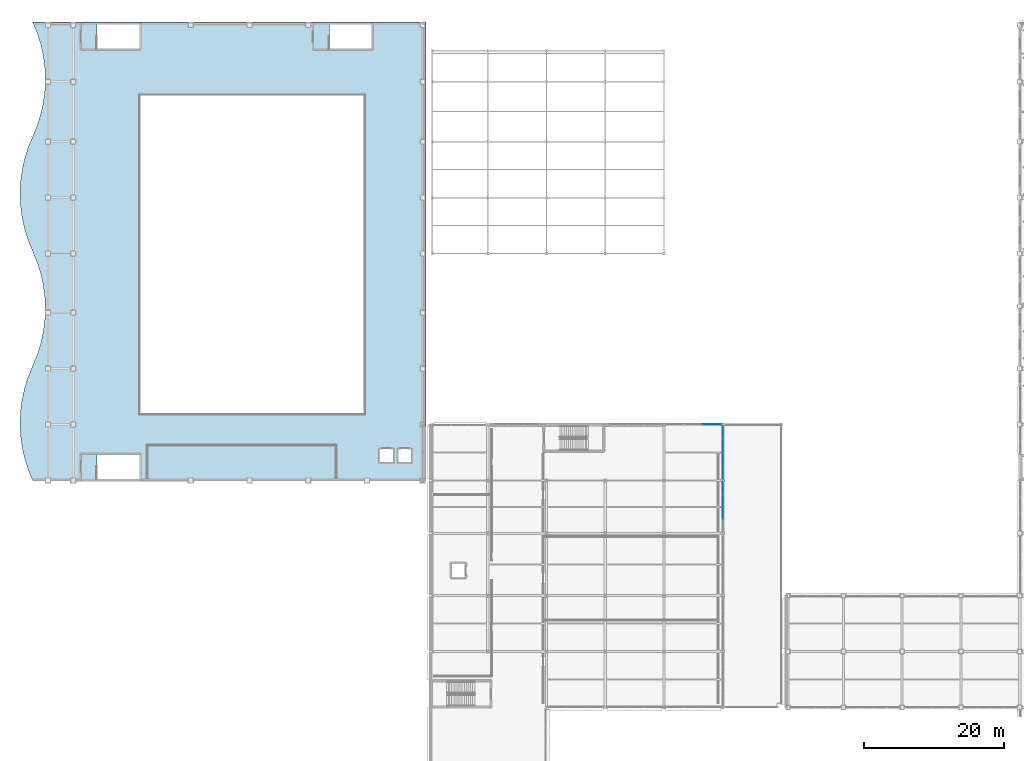
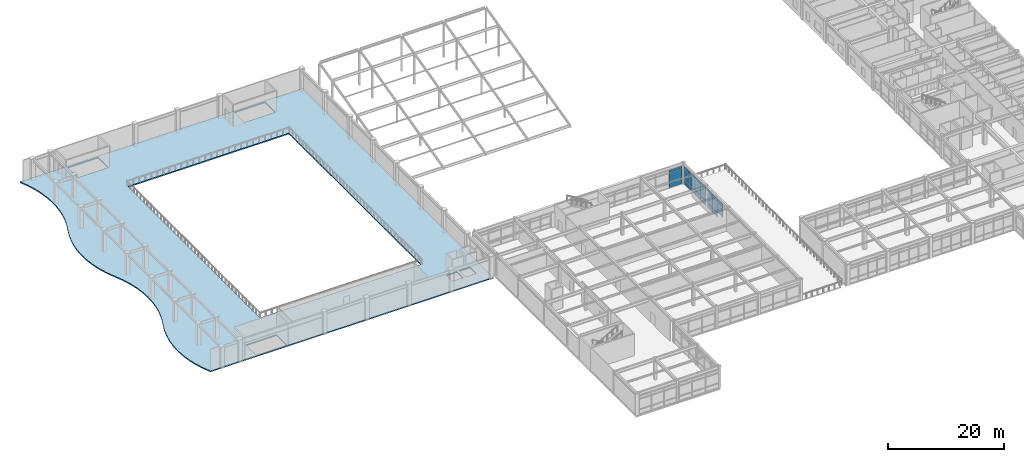
# One storey, part 68 of 93: 23 plates, 1 slab, 3 elements without a shape of their own.
"""IFC4 building model written with IfcOpenShell, lengths in metres."""

import ifcopenshell
import ifcopenshell.guid

model = None  # the IFC model being written
_history = None  # IfcOwnerHistory: only IFC2X3 demands one
_inside = {}  # id of a spatial element -> (the spatial element, [elements in it])
_under = {}  # id of a project, library or spatial element -> (it, [spatial elements below it])
_declared = {}  # id of a project -> (the project, [libraries it declares])
_typed = {}  # id of a type object -> (the type object, [elements of that type])
_made_of = {}  # id of a material, layer set ... -> (it, [elements and type objects made of it])


def new_model(schema):
    """Start an empty IFC model of exactly this schema.

    Asked for "IFC4X3", IfcOpenShell would pick the latest addendum, in which some entities
    have other attributes; the version numbers below select the first issue.
    IFC2X3 requires an IfcOwnerHistory on every rooted entity: one is made here for all.
    """
    global model, _history
    if schema == "IFC4X3":
        model = ifcopenshell.file(schema_version=(4, 3, 0, 0))
    else:
        model = ifcopenshell.file(schema=schema)
    _inside.clear()
    _under.clear()
    _declared.clear()
    _typed.clear()
    _made_of.clear()
    _history = None
    if model.schema == "IFC2X3":
        org = make("IfcOrganization", Name="unknown")
        user = make(
            "IfcPersonAndOrganization",
            ThePerson=make("IfcPerson", FamilyName="unknown"),
            TheOrganization=org,
        )
        app = make(
            "IfcApplication",
            ApplicationDeveloper=org,
            Version="unknown",
            ApplicationFullName="unknown",
            ApplicationIdentifier="unknown",
        )
        _history = make(
            "IfcOwnerHistory",
            OwningUser=user,
            OwningApplication=app,
            ChangeAction="ADDED",
            CreationDate=0,
        )
    return model


def make(cls, **values):
    """One entity of the class cls with the attributes given. An attribute that is None is left unset."""
    return model.create_entity(
        cls, **{name: value for name, value in values.items() if value is not None}
    )


def rooted(cls, **values):
    """An entity with a GlobalId (a new one), such as an element, a storey or a relation."""
    return make(cls, GlobalId=ifcopenshell.guid.new(), OwnerHistory=_history, **values)


def si_unit(unit_type, name, prefix=None):
    """IfcSIUnit, for example si_unit("LENGTHUNIT", "METRE", prefix="MILLI")."""
    return make("IfcSIUnit", UnitType=unit_type, Prefix=prefix, Name=name)


def assignment(units):
    """IfcUnitAssignment: the units of a project."""
    return None if units is None else make("IfcUnitAssignment", Units=units)


def point(xyz):
    """IfcCartesianPoint."""
    return None if xyz is None else make("IfcCartesianPoint", Coordinates=xyz)


def direction(xyz):
    """IfcDirection."""
    return None if xyz is None else make("IfcDirection", DirectionRatios=xyz)


def frame(location, z_axis=None, x_axis=None):
    """IfcAxis2Placement3D, a coordinate frame: its origin and axes. An axis left out is left unset."""
    return make(
        "IfcAxis2Placement3D",
        Location=point(location),
        Axis=direction(z_axis),
        RefDirection=direction(x_axis),
    )


def frame_2d(location, x_axis=None):
    """IfcAxis2Placement2D, a coordinate frame in the plane: its origin and x axis."""
    return make(
        "IfcAxis2Placement2D", Location=point(location), RefDirection=direction(x_axis)
    )


def origin():
    """The frame at (0, 0, 0) with its axes left unset."""
    return frame((0.0, 0.0, 0.0))


def origin_2d():
    """The frame at (0, 0) in the plane with its x axis left unset."""
    return frame_2d((0.0, 0.0))


def place(relative_to, where):
    """IfcLocalPlacement: puts the frame where relative to a parent placement (None: the world)."""
    return make(
        "IfcLocalPlacement", PlacementRelTo=relative_to, RelativePlacement=where
    )


def context(
    kind, dimensions, precision=None, world=None, true_north=None, identifier=None
):
    """IfcGeometricRepresentationContext, for example the 3D "Model" context."""
    return make(
        "IfcGeometricRepresentationContext",
        ContextIdentifier=identifier,
        ContextType=kind,
        CoordinateSpaceDimension=dimensions,
        Precision=precision,
        WorldCoordinateSystem=world,
        TrueNorth=true_north,
    )


def subcontext(parent, identifier, kind, view, scale=None):
    """IfcGeometricRepresentationSubContext, for example "Body" below "Model"."""
    return make(
        "IfcGeometricRepresentationSubContext",
        ContextIdentifier=identifier,
        ContextType=kind,
        ParentContext=parent,
        TargetScale=scale,
        TargetView=view,
    )


def project(units=None, contexts=None):
    """IfcProject with its units and contexts."""
    return rooted(
        "IfcProject",
        Name="project",
        RepresentationContexts=contexts,
        UnitsInContext=assignment(units),
    )


def spatial(cls, under=None, at=None, **own):
    """A site, building, storey or space (cls), placed at a placement, below another one or the project."""
    s = rooted(cls, ObjectPlacement=at, **own)
    if under is not None:
        _under.setdefault(under.id(), (under, []))[1].append(s)
    return s


def polyline(points):
    """IfcPolyline through the points."""
    return make("IfcPolyline", Points=[point(p) for p in points])


def profile(cls, at=None, kind="AREA", **sizes):
    """A parametric profile (cls). Its sizes go by their IFC names, for example OverallWidth=200.0."""
    return make(cls, ProfileType=kind, Position=at, **sizes)


def rectangle(**sizes):
    """IfcRectangleProfileDef."""
    return profile("IfcRectangleProfileDef", **sizes)


def outline(outer, holes=None, kind="AREA"):
    """IfcArbitraryClosedProfileDef: a profile drawn as a closed curve; with holes, ...WithVoids."""
    if holes is None:
        return make("IfcArbitraryClosedProfileDef", ProfileType=kind, OuterCurve=outer)
    return make(
        "IfcArbitraryProfileDefWithVoids",
        ProfileType=kind,
        OuterCurve=outer,
        InnerCurves=holes,
    )


def extrude(swept, where, along, depth):
    """IfcExtrudedAreaSolid: the profile swept, set in the frame where, extruded along a direction by depth."""
    return make(
        "IfcExtrudedAreaSolid",
        SweptArea=swept,
        Position=where,
        ExtrudedDirection=direction(along),
        Depth=depth,
    )


def shape(context_of_items, identifier, shape_type, items):
    """IfcShapeRepresentation: the items that make up one representation, for example the "Body"."""
    return make(
        "IfcShapeRepresentation",
        ContextOfItems=context_of_items,
        RepresentationIdentifier=identifier,
        RepresentationType=shape_type,
        Items=items,
    )


def material(Name=None, Category=None):
    """IfcMaterial."""
    return make("IfcMaterial", Name=Name, Category=Category)


def layer(
    of_material, thickness, ventilated=None, Name=None, Category=None, Priority=None
):
    """IfcMaterialLayer: one layer of a wall or slab, of a material (None: an air gap)."""
    return make(
        "IfcMaterialLayer",
        Material=of_material,
        LayerThickness=thickness,
        IsVentilated=ventilated,
        Name=Name,
        Category=Category,
        Priority=Priority,
    )


def layer_set(layers, Name=None):
    """IfcMaterialLayerSet."""
    return make("IfcMaterialLayerSet", MaterialLayers=layers, LayerSetName=Name)


def made_of(thing, what):
    """Note that an element or type object is made of a material, layer set ...; save() writes the relation."""
    if what is not None:
        _made_of.setdefault(what.id(), (what, []))[1].append(thing)
    return thing


def type_object(cls, material=None, **own):
    """A type object (cls), such as IfcWallType, which elements share."""
    return made_of(rooted(cls, **own), material)


def element(
    cls,
    number,
    at=None,
    inside=None,
    cuts=None,
    type_object=None,
    material=None,
    context=None,
    identifier="Body",
    shape_type=None,
    held_by="IfcProductDefinitionShape",
    body=None,
    shapes=None,
    **own,
):
    """One element of the class cls, such as IfcWall. Its Tag is "e" and its number.

    at: its placement. inside: the storey or other place that contains it. cuts: it is an
    opening in that element (IfcRelVoidsElement). A single representation is given by context,
    identifier, shape_type and body (its items); several are given by shapes. held_by: the class
    of the entity that holds the representations. save() writes the other relations.
    """
    e = rooted(cls, Tag="e%d" % number, ObjectPlacement=at, **own)
    if body is not None:
        shapes = [shape(context, identifier, shape_type, body)]
    if shapes is not None:
        e.Representation = make(held_by, Representations=shapes)
    if inside is not None:
        _inside.setdefault(inside.id(), (inside, []))[1].append(e)
    if cuts is not None:
        rooted(
            "IfcRelVoidsElement", RelatingBuildingElement=cuts, RelatedOpeningElement=e
        )
    if type_object is not None:
        _typed.setdefault(type_object.id(), (type_object, []))[1].append(e)
    return made_of(e, material)


def aggregate(whole, parts):
    """IfcRelAggregates: a whole, such as a stair, and the parts it consists of."""
    return rooted("IfcRelAggregates", RelatingObject=whole, RelatedObjects=parts)


def save(model, path):
    """Write the relations noted so far, then the file.

    IfcRelAggregates (storeys below a building ...), IfcRelContainedInSpatialStructure (elements
    in a storey), IfcRelDefinesByType, IfcRelAssociatesMaterial and IfcRelDeclares: one each for
    every whole, place, type object, material and project.
    """
    for whole, parts in _under.values():
        aggregate(whole, parts)
    for where, things in _inside.values():
        rooted(
            "IfcRelContainedInSpatialStructure",
            RelatedElements=things,
            RelatingStructure=where,
        )
    for kind, things in _typed.values():
        rooted("IfcRelDefinesByType", RelatedObjects=things, RelatingType=kind)
    for what, things in _made_of.values():
        rooted("IfcRelAssociatesMaterial", RelatedObjects=things, RelatingMaterial=what)
    for by, libraries in _declared.values():
        rooted("IfcRelDeclares", RelatingContext=by, RelatedDefinitions=libraries)
    model.write(path)


model = new_model("IFC4")

# Units and contexts
model_context = context("Model", 3, precision=1e-05, world=origin(), true_north=direction((0.0, 1.0)))
body_context = subcontext(model_context, "Body", "Model", "MODEL_VIEW")
ifc_project = project(units=[si_unit("LENGTHUNIT", "METRE"), si_unit("AREAUNIT", "SQUARE_METRE"), si_unit("VOLUMEUNIT", "CUBIC_METRE"), si_unit("PLANEANGLEUNIT", "RADIAN"), si_unit("MASSUNIT", "GRAM", prefix="KILO")], contexts=[model_context])

# Site, building, storey
site_placement = place(None, origin())
site = spatial("IfcSite", under=ifc_project, at=site_placement, CompositionType="ELEMENT")
building_placement = place(site_placement, origin())
building = spatial("IfcBuilding", under=site, at=building_placement, Name="Kazehara Bluff Congress Hotel", CompositionType="ELEMENT")
storey_placement = place(building_placement, frame((0.0, 0.0, 15.0)))
storey = spatial("IfcBuildingStorey", under=building, at=storey_placement, Name="L03", CompositionType="ELEMENT", Elevation=15.0)

# Curtain wall, plates
ifc_material_1 = material(Name="Anodised aluminium", Category="aluminium")
ifc_layer_1 = layer(ifc_material_1, 0.159912109375)
ifc_layer_set_1 = layer_set([ifc_layer_1], Name="Anodised aluminium")
curtain_wall_type_1 = type_object("IfcCurtainWallType", Name="TP-CW-62", PredefinedType="NOTDEFINED", material=ifc_layer_set_1)
curtain_wall_1_placement = place(storey_placement, origin())
curtain_wall_1 = element("IfcCurtainWall", 1, at=curtain_wall_1_placement, inside=storey, type_object=curtain_wall_type_1, Name="L03 curtain wall CW-62 CW-V4-L03-X10125-4110", PredefinedType="NOTDEFINED")
ifc_material_2 = material(Name="Insulated low-E double glazing", Category="glass")
ifc_layer_2 = layer(ifc_material_2, 0.028076171875)
ifc_layer_set_2 = layer_set([ifc_layer_2], Name="Insulated low-E double glazing")
plate_type = type_object("IfcPlateType", Name="TP-CWP-01", PredefinedType="CURTAIN_PANEL", material=ifc_layer_set_2)
plate_1_placement = place(storey_placement, frame((101.25, 43.78125, 1.08251953125), z_axis=(0.0, 0.0, 1.0), x_axis=(0.0, 1.0, 0.0)))
plate_1 = element("IfcPlate", 2, at=plate_1_placement, type_object=plate_type, Name="CW-62 panel 2.2", PredefinedType="CURTAIN_PANEL", context=body_context, shape_type="SweptSolid", body=[
    extrude(rectangle(XDim=1.722412109375, YDim=0.028076171875, at=origin_2d()), origin(), (0.0, 0.0, 1.0), 2.1201171875),
])
plate_2_placement = place(storey_placement, frame((101.25, 43.78125, 3.267578125), z_axis=(0.0, 0.0, 1.0), x_axis=(0.0, 1.0, 0.0)))
plate_2 = element("IfcPlate", 3, at=plate_2_placement, type_object=plate_type, Name="CW-62 panel 2.3", PredefinedType="CURTAIN_PANEL", context=body_context, shape_type="SweptSolid", body=[
    extrude(rectangle(XDim=1.722412109375, YDim=0.028076171875, at=origin_2d()), origin(), (0.0, 0.0, 1.0), 0.552490234375),
])
plate_3_placement = place(storey_placement, frame((101.25, 45.56884765625, 0.06494140625), z_axis=(0.0, 0.0, 1.0), x_axis=(0.0, 1.0, 0.0)))
plate_3 = element("IfcPlate", 4, at=plate_3_placement, type_object=plate_type, Name="CW-62 panel 3.1", PredefinedType="CURTAIN_PANEL", context=body_context, shape_type="SweptSolid", body=[
    extrude(rectangle(XDim=1.722412109375, YDim=0.028076171875, at=origin_2d()), origin(), (0.0, 0.0, 1.0), 0.952392578125),
])
plate_4_placement = place(storey_placement, frame((101.25, 45.56884765625, 1.08251953125), z_axis=(0.0, 0.0, 1.0), x_axis=(0.0, 1.0, 0.0)))
plate_4 = element("IfcPlate", 5, at=plate_4_placement, type_object=plate_type, Name="CW-62 panel 3.2", PredefinedType="CURTAIN_PANEL", context=body_context, shape_type="SweptSolid", body=[
    extrude(rectangle(XDim=1.722412109375, YDim=0.028076171875, at=origin_2d()), origin(), (0.0, 0.0, 1.0), 2.1201171875),
])
plate_5_placement = place(storey_placement, frame((101.25, 45.56884765625, 3.267578125), z_axis=(0.0, 0.0, 1.0), x_axis=(0.0, 1.0, 0.0)))
plate_5 = element("IfcPlate", 6, at=plate_5_placement, type_object=plate_type, Name="CW-62 panel 3.3", PredefinedType="CURTAIN_PANEL", context=body_context, shape_type="SweptSolid", body=[
    extrude(rectangle(XDim=1.722412109375, YDim=0.028076171875, at=origin_2d()), origin(), (0.0, 0.0, 1.0), 0.552490234375),
])
plate_6_placement = place(storey_placement, frame((101.25, 47.340087890625, 0.06494140625), z_axis=(0.0, 0.0, 1.0), x_axis=(0.0, 1.0, 0.0)))
plate_6 = element("IfcPlate", 7, at=plate_6_placement, type_object=plate_type, Name="CW-62 panel 4.1", PredefinedType="CURTAIN_PANEL", context=body_context, shape_type="SweptSolid", body=[
    extrude(rectangle(XDim=1.68994140625, YDim=0.028076171875, at=origin_2d()), origin(), (0.0, 0.0, 1.0), 0.952392578125),
])
plate_7_placement = place(storey_placement, frame((101.25, 47.340087890625, 1.08251953125), z_axis=(0.0, 0.0, 1.0), x_axis=(0.0, 1.0, 0.0)))
plate_7 = element("IfcPlate", 8, at=plate_7_placement, type_object=plate_type, Name="CW-62 panel 4.2", PredefinedType="CURTAIN_PANEL", context=body_context, shape_type="SweptSolid", body=[
    extrude(rectangle(XDim=1.68994140625, YDim=0.028076171875, at=origin_2d()), origin(), (0.0, 0.0, 1.0), 2.1201171875),
])
plate_8_placement = place(storey_placement, frame((101.25, 47.340087890625, 3.267578125), z_axis=(0.0, 0.0, 1.0), x_axis=(0.0, 1.0, 0.0)))
plate_8 = element("IfcPlate", 9, at=plate_8_placement, type_object=plate_type, Name="CW-62 panel 4.3", PredefinedType="CURTAIN_PANEL", context=body_context, shape_type="SweptSolid", body=[
    extrude(rectangle(XDim=1.68994140625, YDim=0.028076171875, at=origin_2d()), origin(), (0.0, 0.0, 1.0), 0.552490234375),
])
aggregate(curtain_wall_1, [plate_1, plate_2, plate_3, plate_4, plate_5, plate_6, plate_7, plate_8])

ifc_material_3 = material(Name="Anodised aluminium", Category="aluminium")
ifc_layer_3 = layer(ifc_material_3, 0.159912109375)
ifc_layer_set_3 = layer_set([ifc_layer_3], Name="Anodised aluminium")
curtain_wall_type_2 = type_object("IfcCurtainWallType", Name="TP-CW-10", PredefinedType="NOTDEFINED", material=ifc_layer_set_3)
curtain_wall_2_placement = place(storey_placement, origin())
curtain_wall_2 = element("IfcCurtainWall", 10, at=curtain_wall_2_placement, inside=storey, type_object=curtain_wall_type_2, Name="L03 curtain wall CW-10 CW-V4-L03-X10125-4865", PredefinedType="NOTDEFINED")
plate_9_placement = place(storey_placement, frame((101.25, 49.6162109375, 0.06494140625), z_axis=(0.0, 0.0, 1.0), x_axis=(0.0, 1.0, 0.0)))
plate_9 = element("IfcPlate", 11, at=plate_9_placement, type_object=plate_type, Name="CW-10 panel 1.1", PredefinedType="CURTAIN_PANEL", context=body_context, shape_type="SweptSolid", body=[
    extrude(rectangle(XDim=1.802490234375, YDim=0.028076171875, at=origin_2d()), origin(), (0.0, 0.0, 1.0), 0.952392578125),
])
plate_10_placement = place(storey_placement, frame((101.25, 49.6162109375, 1.08251953125), z_axis=(0.0, 0.0, 1.0), x_axis=(0.0, 1.0, 0.0)))
plate_10 = element("IfcPlate", 12, at=plate_10_placement, type_object=plate_type, Name="CW-10 panel 1.2", PredefinedType="CURTAIN_PANEL", context=body_context, shape_type="SweptSolid", body=[
    extrude(rectangle(XDim=1.802490234375, YDim=0.028076171875, at=origin_2d()), origin(), (0.0, 0.0, 1.0), 2.1201171875),
])
plate_11_placement = place(storey_placement, frame((101.25, 49.6162109375, 3.267578125), z_axis=(0.0, 0.0, 1.0), x_axis=(0.0, 1.0, 0.0)))
plate_11 = element("IfcPlate", 13, at=plate_11_placement, type_object=plate_type, Name="CW-10 panel 1.3", PredefinedType="CURTAIN_PANEL", context=body_context, shape_type="SweptSolid", body=[
    extrude(rectangle(XDim=1.802490234375, YDim=0.028076171875, at=origin_2d()), origin(), (0.0, 0.0, 1.0), 0.552490234375),
])
plate_12_placement = place(storey_placement, frame((101.25, 51.5, 0.06494140625), z_axis=(0.0, 0.0, 1.0), x_axis=(0.0, 1.0, 0.0)))
plate_12 = element("IfcPlate", 14, at=plate_12_placement, type_object=plate_type, Name="CW-10 panel 2.1", PredefinedType="CURTAIN_PANEL", context=body_context, shape_type="SweptSolid", body=[
    extrude(rectangle(XDim=1.8349609375, YDim=0.028076171875, at=origin_2d()), origin(), (0.0, 0.0, 1.0), 0.952392578125),
])
plate_13_placement = place(storey_placement, frame((101.25, 51.5, 1.08251953125), z_axis=(0.0, 0.0, 1.0), x_axis=(0.0, 1.0, 0.0)))
plate_13 = element("IfcPlate", 15, at=plate_13_placement, type_object=plate_type, Name="CW-10 panel 2.2", PredefinedType="CURTAIN_PANEL", context=body_context, shape_type="SweptSolid", body=[
    extrude(rectangle(XDim=1.8349609375, YDim=0.028076171875, at=origin_2d()), origin(), (0.0, 0.0, 1.0), 2.1201171875),
])
plate_14_placement = place(storey_placement, frame((101.25, 51.5, 3.267578125), z_axis=(0.0, 0.0, 1.0), x_axis=(0.0, 1.0, 0.0)))
plate_14 = element("IfcPlate", 16, at=plate_14_placement, type_object=plate_type, Name="CW-10 panel 2.3", PredefinedType="CURTAIN_PANEL", context=body_context, shape_type="SweptSolid", body=[
    extrude(rectangle(XDim=1.8349609375, YDim=0.028076171875, at=origin_2d()), origin(), (0.0, 0.0, 1.0), 0.552490234375),
])
plate_15_placement = place(storey_placement, frame((101.25, 53.39990234375, 0.06494140625), z_axis=(0.0, 0.0, 1.0), x_axis=(0.0, 1.0, 0.0)))
plate_15 = element("IfcPlate", 17, at=plate_15_placement, type_object=plate_type, Name="CW-10 panel 3.1", PredefinedType="CURTAIN_PANEL", context=body_context, shape_type="SweptSolid", body=[
    extrude(rectangle(XDim=1.8349609375, YDim=0.028076171875, at=origin_2d()), origin(), (0.0, 0.0, 1.0), 0.952392578125),
])
plate_16_placement = place(storey_placement, frame((101.25, 53.39990234375, 1.08251953125), z_axis=(0.0, 0.0, 1.0), x_axis=(0.0, 1.0, 0.0)))
plate_16 = element("IfcPlate", 18, at=plate_16_placement, type_object=plate_type, Name="CW-10 panel 3.2", PredefinedType="CURTAIN_PANEL", context=body_context, shape_type="SweptSolid", body=[
    extrude(rectangle(XDim=1.8349609375, YDim=0.028076171875, at=origin_2d()), origin(), (0.0, 0.0, 1.0), 2.1201171875),
])
plate_17_placement = place(storey_placement, frame((101.25, 53.39990234375, 3.267578125), z_axis=(0.0, 0.0, 1.0), x_axis=(0.0, 1.0, 0.0)))
plate_17 = element("IfcPlate", 19, at=plate_17_placement, type_object=plate_type, Name="CW-10 panel 3.3", PredefinedType="CURTAIN_PANEL", context=body_context, shape_type="SweptSolid", body=[
    extrude(rectangle(XDim=1.8349609375, YDim=0.028076171875, at=origin_2d()), origin(), (0.0, 0.0, 1.0), 0.552490234375),
])
plate_18_placement = place(storey_placement, frame((101.25, 55.28369140625, 0.06494140625), z_axis=(0.0, 0.0, 1.0), x_axis=(0.0, 1.0, 0.0)))
plate_18 = element("IfcPlate", 20, at=plate_18_placement, type_object=plate_type, Name="CW-10 panel 4.1", PredefinedType="CURTAIN_PANEL", context=body_context, shape_type="SweptSolid", body=[
    extrude(rectangle(XDim=1.802490234375, YDim=0.028076171875, at=origin_2d()), origin(), (0.0, 0.0, 1.0), 0.952392578125),
])
plate_19_placement = place(storey_placement, frame((101.25, 55.28369140625, 1.08251953125), z_axis=(0.0, 0.0, 1.0), x_axis=(0.0, 1.0, 0.0)))
plate_19 = element("IfcPlate", 21, at=plate_19_placement, type_object=plate_type, Name="CW-10 panel 4.2", PredefinedType="CURTAIN_PANEL", context=body_context, shape_type="SweptSolid", body=[
    extrude(rectangle(XDim=1.802490234375, YDim=0.028076171875, at=origin_2d()), origin(), (0.0, 0.0, 1.0), 2.1201171875),
])
plate_20_placement = place(storey_placement, frame((101.25, 55.28369140625, 3.267578125), z_axis=(0.0, 0.0, 1.0), x_axis=(0.0, 1.0, 0.0)))
plate_20 = element("IfcPlate", 22, at=plate_20_placement, type_object=plate_type, Name="CW-10 panel 4.3", PredefinedType="CURTAIN_PANEL", context=body_context, shape_type="SweptSolid", body=[
    extrude(rectangle(XDim=1.802490234375, YDim=0.028076171875, at=origin_2d()), origin(), (0.0, 0.0, 1.0), 0.552490234375),
])
aggregate(curtain_wall_2, [plate_9, plate_10, plate_11, plate_12, plate_13, plate_14, plate_15, plate_16, plate_17, plate_18, plate_19, plate_20])

ifc_material_4 = material(Name="Anodised aluminium", Category="aluminium")
ifc_layer_4 = layer(ifc_material_4, 0.159912109375)
ifc_layer_set_4 = layer_set([ifc_layer_4], Name="Anodised aluminium")
curtain_wall_type_3 = type_object("IfcCurtainWallType", Name="TP-CW-76", PredefinedType="NOTDEFINED", material=ifc_layer_set_4)
curtain_wall_3_placement = place(storey_placement, origin())
curtain_wall_3 = element("IfcCurtainWall", 23, at=curtain_wall_3_placement, inside=storey, type_object=curtain_wall_type_3, Name="L03 curtain wall CW-76 CW-V4-L03-Y5645-9305", PredefinedType="NOTDEFINED")
plate_21_placement = place(storey_placement, frame((99.700439453125, 56.449951171875, 0.06494140625), z_axis=(0.0, 0.0, 1.0), x_axis=(1.0, 0.0, 0.0)))
plate_21 = element("IfcPlate", 24, at=plate_21_placement, type_object=plate_type, Name="CW-76 panel 3.1", PredefinedType="CURTAIN_PANEL", context=body_context, shape_type="SweptSolid", body=[
    extrude(rectangle(XDim=2.569091796875, YDim=0.028076171875, at=origin_2d()), origin(), (0.0, 0.0, 1.0), 0.952392578125),
])
plate_22_placement = place(storey_placement, frame((99.700439453125, 56.449951171875, 1.08251953125), z_axis=(0.0, 0.0, 1.0), x_axis=(1.0, 0.0, 0.0)))
plate_22 = element("IfcPlate", 25, at=plate_22_placement, type_object=plate_type, Name="CW-76 panel 3.2", PredefinedType="CURTAIN_PANEL", context=body_context, shape_type="SweptSolid", body=[
    extrude(rectangle(XDim=2.569091796875, YDim=0.028076171875, at=origin_2d()), origin(), (0.0, 0.0, 1.0), 2.1201171875),
])
plate_23_placement = place(storey_placement, frame((99.700439453125, 56.449951171875, 3.267578125), z_axis=(0.0, 0.0, 1.0), x_axis=(1.0, 0.0, 0.0)))
plate_23 = element("IfcPlate", 26, at=plate_23_placement, type_object=plate_type, Name="CW-76 panel 3.3", PredefinedType="CURTAIN_PANEL", context=body_context, shape_type="SweptSolid", body=[
    extrude(rectangle(XDim=2.569091796875, YDim=0.028076171875, at=origin_2d()), origin(), (0.0, 0.0, 1.0), 0.552490234375),
])
aggregate(curtain_wall_3, [plate_21, plate_22, plate_23])

# Slab
ifc_material_5 = material(Name="Concrete C36/45", Category="concrete")
ifc_layer_5 = layer(ifc_material_5, 0.239990234375)
ifc_layer_set_5 = layer_set([ifc_layer_5], Name="Concrete C36/45")
slab_type = type_object("IfcSlabType", Name="TP-SL-240", PredefinedType="FLOOR", material=ifc_layer_set_5)
slab_placement = place(storey_placement, frame((0.0, 0.0, -0.239990234375)))
element("IfcSlab", 27, at=slab_placement, inside=storey, type_object=slab_type, Name="L03 V1 composite floor slab", PredefinedType="FLOOR", context=body_context, shape_type="SweptSolid", body=[
    extrude(outline(polyline([(58.800048828125, 48.449951171875), (58.800048828125, 114.0), (2.60009765625, 114.0), (3.27001953125, 112.360107421875), (3.77490234375, 110.719970703125), (4.1298828125, 109.0849609375), (4.3349609375, 107.445068359375), (4.405029296875, 105.804931640625), (4.3349609375, 104.1650390625), (4.1298828125, 102.530029296875), (3.77490234375, 100.889892578125), (3.27001953125, 99.25), (2.60009765625, 97.610107421875), (1.929931640625, 95.97509765625), (1.425048828125, 94.3349609375), (1.070068359375, 92.695068359375), (0.864990234375, 91.06005859375), (0.794921875, 89.419921875), (0.864990234375, 87.780029296875), (1.070068359375, 86.139892578125), (1.425048828125, 84.5), (1.929931640625, 82.864990234375), (2.60009765625, 81.22509765625), (3.27001953125, 79.5849609375), (3.77490234375, 77.949951171875), (4.1298828125, 76.31005859375), (4.3349609375, 74.669921875), (4.405029296875, 73.030029296875), (4.3349609375, 71.389892578125), (4.1298828125, 69.7548828125), (3.77490234375, 68.114990234375), (3.27001953125, 66.47509765625), (2.60009765625, 64.840087890625), (1.929931640625, 63.199951171875), (1.425048828125, 61.56005859375), (1.070068359375, 59.919921875), (0.864990234375, 58.280029296875), (0.794921875, 56.64501953125), (0.864990234375, 55.0048828125), (1.070068359375, 53.364990234375), (1.425048828125, 51.72998046875), (1.929931640625, 50.090087890625), (2.60009765625, 48.449951171875), (58.800048828125, 48.449951171875)]), holes=[polyline([(11.824951171875, 110.14990234375), (17.89990234375, 110.14990234375), (17.89990234375, 113.64990234375), (11.824951171875, 113.64990234375), (11.824951171875, 110.14990234375)]), polyline([(45.02490234375, 110.14990234375), (51.10009765625, 110.14990234375), (51.10009765625, 113.64990234375), (45.02490234375, 113.64990234375), (45.02490234375, 110.14990234375)]), polyline([(11.824951171875, 48.64990234375), (17.89990234375, 48.64990234375), (17.89990234375, 52.14990234375), (11.824951171875, 52.14990234375), (11.824951171875, 48.64990234375)]), polyline([(52.14990234375, 50.949951171875), (54.25, 50.949951171875), (54.25, 53.050048828125), (52.14990234375, 53.050048828125), (52.14990234375, 50.949951171875)]), polyline([(54.75, 50.949951171875), (56.85009765625, 50.949951171875), (56.85009765625, 53.050048828125), (54.75, 53.050048828125), (54.75, 50.949951171875)]), polyline([(18.0, 58.0), (50.0, 58.0), (50.0, 103.5), (18.0, 103.5), (18.0, 58.0)])]), origin(), (0.0, 0.0, 1.0), 0.239990234375),
])

save(model, "model.ifc")
